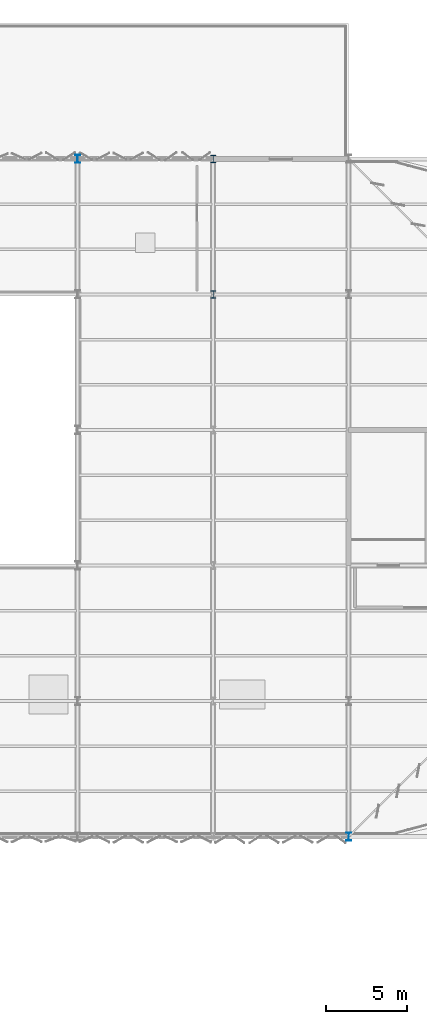
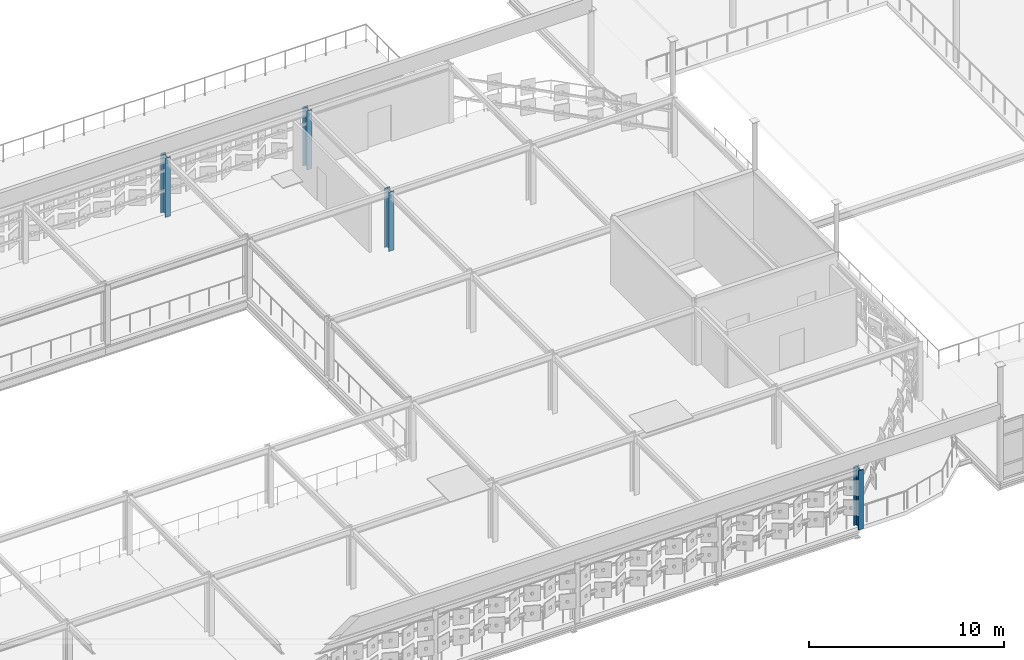
# One storey, part 7 of 65: 4 columns.
"""IFC4 building model written with IfcOpenShell, lengths in metres."""

from ifc_helpers import new_model, si_unit, direction, frame, origin, origin_2d, place, context, subcontext, project, spatial, i_section, extrude, material, material_profile, profile_set, type_object, element, save


model = new_model("IFC4")

# Units and contexts
model_context = context("Model", 3, precision=1e-05, world=origin(), true_north=direction((0.0, 1.0)))
body_context = subcontext(model_context, "Body", "Model", "MODEL_VIEW")
ifc_project = project(units=[si_unit("LENGTHUNIT", "METRE"), si_unit("AREAUNIT", "SQUARE_METRE"), si_unit("VOLUMEUNIT", "CUBIC_METRE"), si_unit("PLANEANGLEUNIT", "RADIAN"), si_unit("MASSUNIT", "GRAM", prefix="KILO")], contexts=[model_context])

# Site, building, storey
site_placement = place(None, origin())
site = spatial("IfcSite", under=ifc_project, at=site_placement, CompositionType="ELEMENT")
building_placement = place(site_placement, origin())
building = spatial("IfcBuilding", under=site, at=building_placement, Name="Qalvenar Corner Mobility Hub", CompositionType="ELEMENT")
storey_placement = place(building_placement, frame((0.0, 0.0, 17.39990234375)))
storey = spatial("IfcBuildingStorey", under=building, at=storey_placement, Name="L04", CompositionType="ELEMENT", Elevation=17.39990234375)

# Columns
ifc_material = material(Name="Steel S355", Category="steel")
ifc_material_profile_1 = material_profile(ifc_material, i_section(OverallWidth=0.300048828125, OverallDepth=0.449951171875, WebThickness=0.013916015625, FlangeThickness=0.02587890625, FilletRadius=0.027099609375, at=origin_2d()), Name="HEB450")
ifc_profile_set_1 = profile_set([ifc_material_profile_1], Name="Steel S355")
column_type_1 = type_object("IfcColumnType", Name="COL-HEB450", PredefinedType="COLUMN", material=ifc_profile_set_1)
for number, where, z_axis, x_axis, name in (
    (1, (126.0, 100.800048828125, 0.0), (0.0, 0.0, 1.0), (1.0, 0.0, 0.0), "Steel Column L04-G16-12"),
    (2, (126.0, 109.199951171875, 0.0), (0.0, 0.0, 1.0), (1.0, 0.0, 0.0), "Steel Column L04-G16-13"),
):
    element("IfcColumn", number, at=place(storey_placement, frame(where, z_axis=z_axis, x_axis=x_axis)), inside=storey, type_object=column_type_1, Name=name, PredefinedType="COLUMN", context=body_context, shape_type="SweptSolid", body=[
        extrude(i_section(OverallWidth=0.300048828125, OverallDepth=0.449951171875, WebThickness=0.013916015625, FlangeThickness=0.02587890625, FilletRadius=0.027099609375, at=origin_2d()), origin(), (0.0, 0.0, 1.0), 3.710205078125),
    ])
ifc_material_profile_2 = material_profile(ifc_material, i_section(OverallWidth=0.300048828125, OverallDepth=0.5, WebThickness=0.014404296875, FlangeThickness=0.028076171875, FilletRadius=0.027099609375, at=origin_2d()), Name="HEB500")
ifc_profile_set_2 = profile_set([ifc_material_profile_2], Name="Steel S355")
column_type_2 = type_object("IfcColumnType", Name="COL-HEB500", PredefinedType="COLUMN", material=ifc_profile_set_2)
for number, where, z_axis, x_axis, name in (
    (3, (117.60009765625, 109.199951171875, 0.0), (0.0, 0.0, 1.0), (1.0, 0.0, 0.0), "Steel Column L04-G15-13"),
    (4, (134.39990234375, 67.199951171875, 0.0), (0.0, 0.0, 1.0), (1.0, 0.0, 0.0), "Steel Column L04-G17-8"),
):
    element("IfcColumn", number, at=place(storey_placement, frame(where, z_axis=z_axis, x_axis=x_axis)), inside=storey, type_object=column_type_2, Name=name, PredefinedType="COLUMN", context=body_context, shape_type="SweptSolid", body=[
        extrude(i_section(OverallWidth=0.300048828125, OverallDepth=0.5, WebThickness=0.014404296875, FlangeThickness=0.028076171875, FilletRadius=0.027099609375, at=origin_2d()), origin(), (0.0, 0.0, 1.0), 3.710205078125),
    ])

save(model, "model.ifc")
